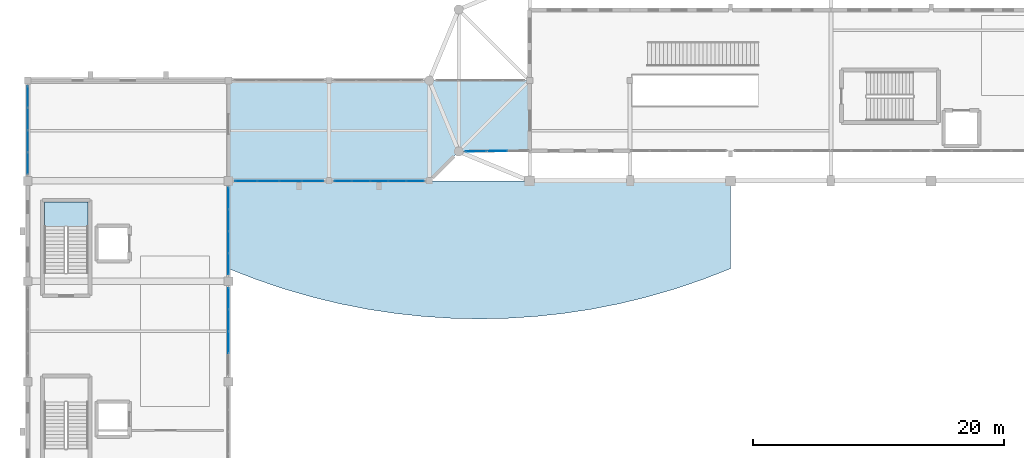
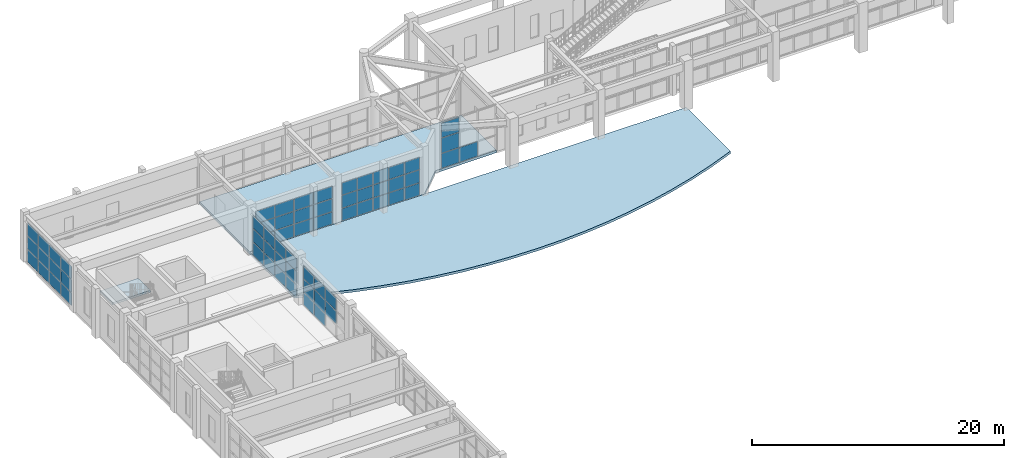
# One storey, part 29 of 59: 63 plates, 3 slabs, 7 elements without a shape of their own.
"""IFC4 building model written with IfcOpenShell, lengths in metres."""

from ifc_helpers import new_model, si_unit, direction, frame, origin, origin_2d, place, context, subcontext, project, spatial, polyline, rectangle, outline, extrude, material, layer, layer_set, type_object, element, aggregate, save


model = new_model("IFC4")

# Units and contexts
model_context = context("Model", 3, precision=1e-05, world=origin(), true_north=direction((0.0, 1.0)))
body_context = subcontext(model_context, "Body", "Model", "MODEL_VIEW")
ifc_project = project(units=[si_unit("LENGTHUNIT", "METRE"), si_unit("AREAUNIT", "SQUARE_METRE"), si_unit("VOLUMEUNIT", "CUBIC_METRE"), si_unit("PLANEANGLEUNIT", "RADIAN"), si_unit("MASSUNIT", "GRAM", prefix="KILO")], contexts=[model_context])

# Site, building, storey
site_placement = place(None, origin())
site = spatial("IfcSite", under=ifc_project, at=site_placement, CompositionType="ELEMENT")
building_placement = place(site_placement, origin())
building = spatial("IfcBuilding", under=site, at=building_placement, Name="Serraluz Foothill Cableway Terminal", CompositionType="ELEMENT")
storey_placement = place(building_placement, frame((0.0, 0.0, 4.800048828125)))
storey = spatial("IfcBuildingStorey", under=building, at=storey_placement, Name="L01", CompositionType="ELEMENT", Elevation=4.800048828125)

# Curtain wall, plates
ifc_material_1 = material(Name="Architectural bronze alloy C28000", Category="aluminium")
curtain_wall_type_1 = type_object("IfcCurtainWallType", Name="TYP-CW-480X380", PredefinedType="NOTDEFINED", material=ifc_material_1)
curtain_wall_1_placement = place(storey_placement, origin())
curtain_wall_1 = element("IfcCurtainWall", 1, at=curtain_wall_1_placement, inside=storey, type_object=curtain_wall_type_1, Name="Ribbed Glazed Curtain Wall CW-V5E-L01-40", PredefinedType="NOTDEFINED")
ifc_material_2 = material(Name="Translucent ribbed laminated channel glass", Category="glass")
ifc_layer_1 = layer(ifc_material_2, 0.028076171875, Name="Translucent ribbed laminated channel glass", Category="glass")
ifc_layer_set_1 = layer_set([ifc_layer_1], Name="Translucent ribbed laminated channel glass")
plate_type = type_object("IfcPlateType", Name="TYP-CW-PNL-28", PredefinedType="CURTAIN_PANEL", material=ifc_layer_set_1)
plate_1_placement = place(storey_placement, frame((16.0, 46.617431640625, 0.06005859375), z_axis=(0.0, 0.0, 1.0), x_axis=(0.0, -1.0, 0.0)))
plate_1 = element("IfcPlate", 2, at=plate_1_placement, type_object=plate_type, Name="CW-14 panel 1.1", PredefinedType="CURTAIN_PANEL", context=body_context, shape_type="SweptSolid", body=[
    extrude(rectangle(XDim=1.6650390625, YDim=0.028076171875, at=origin_2d()), origin(), (0.0, 0.0, 1.0), 1.218017578125),
])
plate_2_placement = place(storey_placement, frame((16.0, 46.617431640625, 1.337890625), z_axis=(0.0, 0.0, 1.0), x_axis=(0.0, -1.0, 0.0)))
plate_2 = element("IfcPlate", 3, at=plate_2_placement, type_object=plate_type, Name="CW-14 panel 1.2", PredefinedType="CURTAIN_PANEL", context=body_context, shape_type="SweptSolid", body=[
    extrude(rectangle(XDim=1.6650390625, YDim=0.028076171875, at=origin_2d()), origin(), (0.0, 0.0, 1.0), 1.248046875),
])
plate_3_placement = place(storey_placement, frame((16.0, 46.617431640625, 2.64599609375), z_axis=(0.0, 0.0, 1.0), x_axis=(0.0, -1.0, 0.0)))
plate_3 = element("IfcPlate", 4, at=plate_3_placement, type_object=plate_type, Name="CW-14 panel 1.3", PredefinedType="CURTAIN_PANEL", context=body_context, shape_type="SweptSolid", body=[
    extrude(rectangle(XDim=1.6650390625, YDim=0.028076171875, at=origin_2d()), origin(), (0.0, 0.0, 1.0), 1.218017578125),
])
plate_4_placement = place(storey_placement, frame((16.0, 44.87744140625, 0.06005859375), z_axis=(0.0, 0.0, 1.0), x_axis=(0.0, -1.0, 0.0)))
plate_4 = element("IfcPlate", 5, at=plate_4_placement, type_object=plate_type, Name="CW-14 panel 2.1", PredefinedType="CURTAIN_PANEL", context=body_context, shape_type="SweptSolid", body=[
    extrude(rectangle(XDim=1.695068359375, YDim=0.028076171875, at=origin_2d()), origin(), (0.0, 0.0, 1.0), 1.218017578125),
])
plate_5_placement = place(storey_placement, frame((16.0, 44.87744140625, 1.337890625), z_axis=(0.0, 0.0, 1.0), x_axis=(0.0, -1.0, 0.0)))
plate_5 = element("IfcPlate", 6, at=plate_5_placement, type_object=plate_type, Name="CW-14 panel 2.2", PredefinedType="CURTAIN_PANEL", context=body_context, shape_type="SweptSolid", body=[
    extrude(rectangle(XDim=1.695068359375, YDim=0.028076171875, at=origin_2d()), origin(), (0.0, 0.0, 1.0), 1.248046875),
])
plate_6_placement = place(storey_placement, frame((16.0, 44.87744140625, 2.64599609375), z_axis=(0.0, 0.0, 1.0), x_axis=(0.0, -1.0, 0.0)))
plate_6 = element("IfcPlate", 7, at=plate_6_placement, type_object=plate_type, Name="CW-14 panel 2.3", PredefinedType="CURTAIN_PANEL", context=body_context, shape_type="SweptSolid", body=[
    extrude(rectangle(XDim=1.695068359375, YDim=0.028076171875, at=origin_2d()), origin(), (0.0, 0.0, 1.0), 1.218017578125),
])
plate_7_placement = place(storey_placement, frame((16.0, 43.12255859375, 1.337890625), z_axis=(0.0, 0.0, 1.0), x_axis=(0.0, -1.0, 0.0)))
plate_7 = element("IfcPlate", 8, at=plate_7_placement, type_object=plate_type, Name="CW-14 panel 3.2", PredefinedType="CURTAIN_PANEL", context=body_context, shape_type="SweptSolid", body=[
    extrude(rectangle(XDim=1.695068359375, YDim=0.028076171875, at=origin_2d()), origin(), (0.0, 0.0, 1.0), 1.248046875),
])
plate_8_placement = place(storey_placement, frame((16.0, 43.12255859375, 2.64599609375), z_axis=(0.0, 0.0, 1.0), x_axis=(0.0, -1.0, 0.0)))
plate_8 = element("IfcPlate", 9, at=plate_8_placement, type_object=plate_type, Name="CW-14 panel 3.3", PredefinedType="CURTAIN_PANEL", context=body_context, shape_type="SweptSolid", body=[
    extrude(rectangle(XDim=1.695068359375, YDim=0.028076171875, at=origin_2d()), origin(), (0.0, 0.0, 1.0), 1.218017578125),
])
aggregate(curtain_wall_1, [plate_1, plate_2, plate_3, plate_4, plate_5, plate_6, plate_7, plate_8])

curtain_wall_type_2 = type_object("IfcCurtainWallType", Name="TYP-CW-480X420", PredefinedType="NOTDEFINED", material=ifc_material_1)
curtain_wall_2_placement = place(storey_placement, origin())
curtain_wall_2 = element("IfcCurtainWall", 10, at=curtain_wall_2_placement, inside=storey, type_object=curtain_wall_type_2, Name="Ribbed Glazed Curtain Wall CW-V5E-L01-48", PredefinedType="NOTDEFINED")
plate_9_placement = place(storey_placement, frame((16.0, 54.617431640625, 0.06005859375), z_axis=(0.0, 0.0, 1.0), x_axis=(0.0, -1.0, 0.0)))
plate_9 = element("IfcPlate", 11, at=plate_9_placement, type_object=plate_type, Name="CW-15 panel 1.1", PredefinedType="CURTAIN_PANEL", context=body_context, shape_type="SweptSolid", body=[
    extrude(rectangle(XDim=1.6650390625, YDim=0.028076171875, at=origin_2d()), origin(), (0.0, 0.0, 1.0), 1.218017578125),
])
plate_10_placement = place(storey_placement, frame((16.0, 54.617431640625, 1.337890625), z_axis=(0.0, 0.0, 1.0), x_axis=(0.0, -1.0, 0.0)))
plate_10 = element("IfcPlate", 12, at=plate_10_placement, type_object=plate_type, Name="CW-15 panel 1.2", PredefinedType="CURTAIN_PANEL", context=body_context, shape_type="SweptSolid", body=[
    extrude(rectangle(XDim=1.6650390625, YDim=0.028076171875, at=origin_2d()), origin(), (0.0, 0.0, 1.0), 1.248046875),
])
plate_11_placement = place(storey_placement, frame((16.0, 54.617431640625, 2.64599609375), z_axis=(0.0, 0.0, 1.0), x_axis=(0.0, -1.0, 0.0)))
plate_11 = element("IfcPlate", 13, at=plate_11_placement, type_object=plate_type, Name="CW-15 panel 1.3", PredefinedType="CURTAIN_PANEL", context=body_context, shape_type="SweptSolid", body=[
    extrude(rectangle(XDim=1.6650390625, YDim=0.028076171875, at=origin_2d()), origin(), (0.0, 0.0, 1.0), 1.218017578125),
])
plate_12_placement = place(storey_placement, frame((16.0, 52.87744140625, 0.06005859375), z_axis=(0.0, 0.0, 1.0), x_axis=(0.0, -1.0, 0.0)))
plate_12 = element("IfcPlate", 14, at=plate_12_placement, type_object=plate_type, Name="CW-15 panel 2.1", PredefinedType="CURTAIN_PANEL", context=body_context, shape_type="SweptSolid", body=[
    extrude(rectangle(XDim=1.695068359375, YDim=0.028076171875, at=origin_2d()), origin(), (0.0, 0.0, 1.0), 1.218017578125),
])
plate_13_placement = place(storey_placement, frame((16.0, 52.87744140625, 1.337890625), z_axis=(0.0, 0.0, 1.0), x_axis=(0.0, -1.0, 0.0)))
plate_13 = element("IfcPlate", 15, at=plate_13_placement, type_object=plate_type, Name="CW-15 panel 2.2", PredefinedType="CURTAIN_PANEL", context=body_context, shape_type="SweptSolid", body=[
    extrude(rectangle(XDim=1.695068359375, YDim=0.028076171875, at=origin_2d()), origin(), (0.0, 0.0, 1.0), 1.248046875),
])
plate_14_placement = place(storey_placement, frame((16.0, 52.87744140625, 2.64599609375), z_axis=(0.0, 0.0, 1.0), x_axis=(0.0, -1.0, 0.0)))
plate_14 = element("IfcPlate", 16, at=plate_14_placement, type_object=plate_type, Name="CW-15 panel 2.3", PredefinedType="CURTAIN_PANEL", context=body_context, shape_type="SweptSolid", body=[
    extrude(rectangle(XDim=1.695068359375, YDim=0.028076171875, at=origin_2d()), origin(), (0.0, 0.0, 1.0), 1.218017578125),
])
plate_15_placement = place(storey_placement, frame((16.0, 51.12255859375, 0.06005859375), z_axis=(0.0, 0.0, 1.0), x_axis=(0.0, -1.0, 0.0)))
plate_15 = element("IfcPlate", 17, at=plate_15_placement, type_object=plate_type, Name="CW-15 panel 3.1", PredefinedType="CURTAIN_PANEL", context=body_context, shape_type="SweptSolid", body=[
    extrude(rectangle(XDim=1.695068359375, YDim=0.028076171875, at=origin_2d()), origin(), (0.0, 0.0, 1.0), 1.218017578125),
])
plate_16_placement = place(storey_placement, frame((16.0, 51.12255859375, 1.337890625), z_axis=(0.0, 0.0, 1.0), x_axis=(0.0, -1.0, 0.0)))
plate_16 = element("IfcPlate", 18, at=plate_16_placement, type_object=plate_type, Name="CW-15 panel 3.2", PredefinedType="CURTAIN_PANEL", context=body_context, shape_type="SweptSolid", body=[
    extrude(rectangle(XDim=1.695068359375, YDim=0.028076171875, at=origin_2d()), origin(), (0.0, 0.0, 1.0), 1.248046875),
])
plate_17_placement = place(storey_placement, frame((16.0, 51.12255859375, 2.64599609375), z_axis=(0.0, 0.0, 1.0), x_axis=(0.0, -1.0, 0.0)))
plate_17 = element("IfcPlate", 19, at=plate_17_placement, type_object=plate_type, Name="CW-15 panel 3.3", PredefinedType="CURTAIN_PANEL", context=body_context, shape_type="SweptSolid", body=[
    extrude(rectangle(XDim=1.695068359375, YDim=0.028076171875, at=origin_2d()), origin(), (0.0, 0.0, 1.0), 1.218017578125),
])
plate_18_placement = place(storey_placement, frame((16.0, 49.382568359375, 0.06005859375), z_axis=(0.0, 0.0, 1.0), x_axis=(0.0, -1.0, 0.0)))
plate_18 = element("IfcPlate", 20, at=plate_18_placement, type_object=plate_type, Name="CW-15 panel 4.1", PredefinedType="CURTAIN_PANEL", context=body_context, shape_type="SweptSolid", body=[
    extrude(rectangle(XDim=1.6650390625, YDim=0.028076171875, at=origin_2d()), origin(), (0.0, 0.0, 1.0), 1.218017578125),
])
plate_19_placement = place(storey_placement, frame((16.0, 49.382568359375, 1.337890625), z_axis=(0.0, 0.0, 1.0), x_axis=(0.0, -1.0, 0.0)))
plate_19 = element("IfcPlate", 21, at=plate_19_placement, type_object=plate_type, Name="CW-15 panel 4.2", PredefinedType="CURTAIN_PANEL", context=body_context, shape_type="SweptSolid", body=[
    extrude(rectangle(XDim=1.6650390625, YDim=0.028076171875, at=origin_2d()), origin(), (0.0, 0.0, 1.0), 1.248046875),
])
plate_20_placement = place(storey_placement, frame((16.0, 49.382568359375, 2.64599609375), z_axis=(0.0, 0.0, 1.0), x_axis=(0.0, -1.0, 0.0)))
plate_20 = element("IfcPlate", 22, at=plate_20_placement, type_object=plate_type, Name="CW-15 panel 4.3", PredefinedType="CURTAIN_PANEL", context=body_context, shape_type="SweptSolid", body=[
    extrude(rectangle(XDim=1.6650390625, YDim=0.028076171875, at=origin_2d()), origin(), (0.0, 0.0, 1.0), 1.218017578125),
])
aggregate(curtain_wall_2, [plate_9, plate_10, plate_11, plate_12, plate_13, plate_14, plate_15, plate_16, plate_17, plate_18, plate_19, plate_20])

curtain_wall_type_3 = type_object("IfcCurtainWallType", Name="TYP-CW-540X420", PredefinedType="NOTDEFINED", material=ifc_material_1)
curtain_wall_3_placement = place(storey_placement, origin())
curtain_wall_3 = element("IfcCurtainWall", 23, at=curtain_wall_3_placement, inside=storey, type_object=curtain_wall_type_3, Name="Ribbed Glazed Curtain Wall CW-V5W-L01-56", PredefinedType="NOTDEFINED")
plate_21_placement = place(storey_placement, frame((0.0, 57.391845703125, 0.06005859375), z_axis=(0.0, 0.0, 1.0), x_axis=(0.0, 1.0, 0.0)))
plate_21 = element("IfcPlate", 24, at=plate_21_placement, type_object=plate_type, Name="CW-10 panel 1.1", PredefinedType="CURTAIN_PANEL", context=body_context, shape_type="SweptSolid", body=[
    extrude(rectangle(XDim=1.683837890625, YDim=0.028076171875, at=origin_2d()), origin(), (0.0, 0.0, 1.0), 1.218017578125),
])
plate_22_placement = place(storey_placement, frame((0.0, 57.391845703125, 1.337890625), z_axis=(0.0, 0.0, 1.0), x_axis=(0.0, 1.0, 0.0)))
plate_22 = element("IfcPlate", 25, at=plate_22_placement, type_object=plate_type, Name="CW-10 panel 1.2", PredefinedType="CURTAIN_PANEL", context=body_context, shape_type="SweptSolid", body=[
    extrude(rectangle(XDim=1.683837890625, YDim=0.028076171875, at=origin_2d()), origin(), (0.0, 0.0, 1.0), 1.248046875),
])
plate_23_placement = place(storey_placement, frame((0.0, 57.391845703125, 2.64599609375), z_axis=(0.0, 0.0, 1.0), x_axis=(0.0, 1.0, 0.0)))
plate_23 = element("IfcPlate", 26, at=plate_23_placement, type_object=plate_type, Name="CW-10 panel 1.3", PredefinedType="CURTAIN_PANEL", context=body_context, shape_type="SweptSolid", body=[
    extrude(rectangle(XDim=1.683837890625, YDim=0.028076171875, at=origin_2d()), origin(), (0.0, 0.0, 1.0), 1.218017578125),
])
plate_24_placement = place(storey_placement, frame((0.0, 59.150634765625, 0.06005859375), z_axis=(0.0, 0.0, 1.0), x_axis=(0.0, 1.0, 0.0)))
plate_24 = element("IfcPlate", 27, at=plate_24_placement, type_object=plate_type, Name="CW-10 panel 2.1", PredefinedType="CURTAIN_PANEL", context=body_context, shape_type="SweptSolid", body=[
    extrude(rectangle(XDim=1.7138671875, YDim=0.028076171875, at=origin_2d()), origin(), (0.0, 0.0, 1.0), 1.218017578125),
])
plate_25_placement = place(storey_placement, frame((0.0, 59.150634765625, 1.337890625), z_axis=(0.0, 0.0, 1.0), x_axis=(0.0, 1.0, 0.0)))
plate_25 = element("IfcPlate", 28, at=plate_25_placement, type_object=plate_type, Name="CW-10 panel 2.2", PredefinedType="CURTAIN_PANEL", context=body_context, shape_type="SweptSolid", body=[
    extrude(rectangle(XDim=1.7138671875, YDim=0.028076171875, at=origin_2d()), origin(), (0.0, 0.0, 1.0), 1.248046875),
])
plate_26_placement = place(storey_placement, frame((0.0, 59.150634765625, 2.64599609375), z_axis=(0.0, 0.0, 1.0), x_axis=(0.0, 1.0, 0.0)))
plate_26 = element("IfcPlate", 29, at=plate_26_placement, type_object=plate_type, Name="CW-10 panel 2.3", PredefinedType="CURTAIN_PANEL", context=body_context, shape_type="SweptSolid", body=[
    extrude(rectangle(XDim=1.7138671875, YDim=0.028076171875, at=origin_2d()), origin(), (0.0, 0.0, 1.0), 1.218017578125),
])
plate_27_placement = place(storey_placement, frame((0.0, 60.92431640625, 0.06005859375), z_axis=(0.0, 0.0, 1.0), x_axis=(0.0, 1.0, 0.0)))
plate_27 = element("IfcPlate", 30, at=plate_27_placement, type_object=plate_type, Name="CW-10 panel 3.1", PredefinedType="CURTAIN_PANEL", context=body_context, shape_type="SweptSolid", body=[
    extrude(rectangle(XDim=1.7138671875, YDim=0.028076171875, at=origin_2d()), origin(), (0.0, 0.0, 1.0), 1.218017578125),
])
plate_28_placement = place(storey_placement, frame((0.0, 60.92431640625, 1.337890625), z_axis=(0.0, 0.0, 1.0), x_axis=(0.0, 1.0, 0.0)))
plate_28 = element("IfcPlate", 31, at=plate_28_placement, type_object=plate_type, Name="CW-10 panel 3.2", PredefinedType="CURTAIN_PANEL", context=body_context, shape_type="SweptSolid", body=[
    extrude(rectangle(XDim=1.7138671875, YDim=0.028076171875, at=origin_2d()), origin(), (0.0, 0.0, 1.0), 1.248046875),
])
plate_29_placement = place(storey_placement, frame((0.0, 60.92431640625, 2.64599609375), z_axis=(0.0, 0.0, 1.0), x_axis=(0.0, 1.0, 0.0)))
plate_29 = element("IfcPlate", 32, at=plate_29_placement, type_object=plate_type, Name="CW-10 panel 3.3", PredefinedType="CURTAIN_PANEL", context=body_context, shape_type="SweptSolid", body=[
    extrude(rectangle(XDim=1.7138671875, YDim=0.028076171875, at=origin_2d()), origin(), (0.0, 0.0, 1.0), 1.218017578125),
])
plate_30_placement = place(storey_placement, frame((0.0, 62.68310546875, 0.06005859375), z_axis=(0.0, 0.0, 1.0), x_axis=(0.0, 1.0, 0.0)))
plate_30 = element("IfcPlate", 33, at=plate_30_placement, type_object=plate_type, Name="CW-10 panel 4.1", PredefinedType="CURTAIN_PANEL", context=body_context, shape_type="SweptSolid", body=[
    extrude(rectangle(XDim=1.683837890625, YDim=0.028076171875, at=origin_2d()), origin(), (0.0, 0.0, 1.0), 1.218017578125),
])
plate_31_placement = place(storey_placement, frame((0.0, 62.68310546875, 1.337890625), z_axis=(0.0, 0.0, 1.0), x_axis=(0.0, 1.0, 0.0)))
plate_31 = element("IfcPlate", 34, at=plate_31_placement, type_object=plate_type, Name="CW-10 panel 4.2", PredefinedType="CURTAIN_PANEL", context=body_context, shape_type="SweptSolid", body=[
    extrude(rectangle(XDim=1.683837890625, YDim=0.028076171875, at=origin_2d()), origin(), (0.0, 0.0, 1.0), 1.248046875),
])
plate_32_placement = place(storey_placement, frame((0.0, 62.68310546875, 2.64599609375), z_axis=(0.0, 0.0, 1.0), x_axis=(0.0, 1.0, 0.0)))
plate_32 = element("IfcPlate", 35, at=plate_32_placement, type_object=plate_type, Name="CW-10 panel 4.3", PredefinedType="CURTAIN_PANEL", context=body_context, shape_type="SweptSolid", body=[
    extrude(rectangle(XDim=1.683837890625, YDim=0.028076171875, at=origin_2d()), origin(), (0.0, 0.0, 1.0), 1.218017578125),
])
aggregate(curtain_wall_3, [plate_21, plate_22, plate_23, plate_24, plate_25, plate_26, plate_27, plate_28, plate_29, plate_30, plate_31, plate_32])

curtain_wall_type_4 = type_object("IfcCurtainWallType", Name="TYP-CW-710X420", PredefinedType="NOTDEFINED", material=ifc_material_1)
curtain_wall_4_placement = place(storey_placement, origin())
curtain_wall_4 = element("IfcCurtainWall", 36, at=curtain_wall_4_placement, inside=storey, type_object=curtain_wall_type_4, Name="Ribbed Glazed Curtain Wall CW-WLS-L01-16", PredefinedType="NOTDEFINED")
plate_33_placement = place(storey_placement, frame((22.705078125, 56.0, 0.059814453125), z_axis=(0.0, 0.0, 1.0), x_axis=(-1.0, 0.0, 0.0)))
plate_33 = element("IfcPlate", 37, at=plate_33_placement, type_object=plate_type, Name="CW-01 panel 1.1", PredefinedType="CURTAIN_PANEL", context=body_context, shape_type="SweptSolid", body=[
    extrude(rectangle(XDim=1.68994140625, YDim=0.028076171875, at=origin_2d()), origin(), (0.0, 0.0, 1.0), 1.1767578125),
])
plate_34_placement = place(storey_placement, frame((22.705078125, 56.0, 1.296630859375), z_axis=(0.0, 0.0, 1.0), x_axis=(-1.0, 0.0, 0.0)))
plate_34 = element("IfcPlate", 38, at=plate_34_placement, type_object=plate_type, Name="CW-01 panel 1.2", PredefinedType="CURTAIN_PANEL", context=body_context, shape_type="SweptSolid", body=[
    extrude(rectangle(XDim=1.68994140625, YDim=0.028076171875, at=origin_2d()), origin(), (0.0, 0.0, 1.0), 1.20654296875),
])
plate_35_placement = place(storey_placement, frame((22.705078125, 56.0, 2.563232421875), z_axis=(0.0, 0.0, 1.0), x_axis=(-1.0, 0.0, 0.0)))
plate_35 = element("IfcPlate", 39, at=plate_35_placement, type_object=plate_type, Name="CW-01 panel 1.3", PredefinedType="CURTAIN_PANEL", context=body_context, shape_type="SweptSolid", body=[
    extrude(rectangle(XDim=1.68994140625, YDim=0.028076171875, at=origin_2d()), origin(), (0.0, 0.0, 1.0), 1.1767578125),
])
plate_36_placement = place(storey_placement, frame((20.93994140625, 56.0, 0.059814453125), z_axis=(0.0, 0.0, 1.0), x_axis=(-1.0, 0.0, 0.0)))
plate_36 = element("IfcPlate", 40, at=plate_36_placement, type_object=plate_type, Name="CW-01 panel 2.1", PredefinedType="CURTAIN_PANEL", context=body_context, shape_type="SweptSolid", body=[
    extrude(rectangle(XDim=1.719970703125, YDim=0.028076171875, at=origin_2d()), origin(), (0.0, 0.0, 1.0), 1.1767578125),
])
plate_37_placement = place(storey_placement, frame((20.93994140625, 56.0, 1.296630859375), z_axis=(0.0, 0.0, 1.0), x_axis=(-1.0, 0.0, 0.0)))
plate_37 = element("IfcPlate", 41, at=plate_37_placement, type_object=plate_type, Name="CW-01 panel 2.2", PredefinedType="CURTAIN_PANEL", context=body_context, shape_type="SweptSolid", body=[
    extrude(rectangle(XDim=1.719970703125, YDim=0.028076171875, at=origin_2d()), origin(), (0.0, 0.0, 1.0), 1.20654296875),
])
plate_38_placement = place(storey_placement, frame((20.93994140625, 56.0, 2.563232421875), z_axis=(0.0, 0.0, 1.0), x_axis=(-1.0, 0.0, 0.0)))
plate_38 = element("IfcPlate", 42, at=plate_38_placement, type_object=plate_type, Name="CW-01 panel 2.3", PredefinedType="CURTAIN_PANEL", context=body_context, shape_type="SweptSolid", body=[
    extrude(rectangle(XDim=1.719970703125, YDim=0.028076171875, at=origin_2d()), origin(), (0.0, 0.0, 1.0), 1.1767578125),
])
plate_39_placement = place(storey_placement, frame((19.159912109375, 56.0, 0.059814453125), z_axis=(0.0, 0.0, 1.0), x_axis=(-1.0, 0.0, 0.0)))
plate_39 = element("IfcPlate", 43, at=plate_39_placement, type_object=plate_type, Name="CW-01 panel 3.1", PredefinedType="CURTAIN_PANEL", context=body_context, shape_type="SweptSolid", body=[
    extrude(rectangle(XDim=1.719970703125, YDim=0.028076171875, at=origin_2d()), origin(), (0.0, 0.0, 1.0), 1.1767578125),
])
plate_40_placement = place(storey_placement, frame((19.159912109375, 56.0, 1.296630859375), z_axis=(0.0, 0.0, 1.0), x_axis=(-1.0, 0.0, 0.0)))
plate_40 = element("IfcPlate", 44, at=plate_40_placement, type_object=plate_type, Name="CW-01 panel 3.2", PredefinedType="CURTAIN_PANEL", context=body_context, shape_type="SweptSolid", body=[
    extrude(rectangle(XDim=1.719970703125, YDim=0.028076171875, at=origin_2d()), origin(), (0.0, 0.0, 1.0), 1.20654296875),
])
plate_41_placement = place(storey_placement, frame((19.159912109375, 56.0, 2.563232421875), z_axis=(0.0, 0.0, 1.0), x_axis=(-1.0, 0.0, 0.0)))
plate_41 = element("IfcPlate", 45, at=plate_41_placement, type_object=plate_type, Name="CW-01 panel 3.3", PredefinedType="CURTAIN_PANEL", context=body_context, shape_type="SweptSolid", body=[
    extrude(rectangle(XDim=1.719970703125, YDim=0.028076171875, at=origin_2d()), origin(), (0.0, 0.0, 1.0), 1.1767578125),
])
plate_42_placement = place(storey_placement, frame((17.39501953125, 56.0, 0.059814453125), z_axis=(0.0, 0.0, 1.0), x_axis=(-1.0, 0.0, 0.0)))
plate_42 = element("IfcPlate", 46, at=plate_42_placement, type_object=plate_type, Name="CW-01 panel 4.1", PredefinedType="CURTAIN_PANEL", context=body_context, shape_type="SweptSolid", body=[
    extrude(rectangle(XDim=1.68994140625, YDim=0.028076171875, at=origin_2d()), origin(), (0.0, 0.0, 1.0), 1.1767578125),
])
plate_43_placement = place(storey_placement, frame((17.39501953125, 56.0, 1.296630859375), z_axis=(0.0, 0.0, 1.0), x_axis=(-1.0, 0.0, 0.0)))
plate_43 = element("IfcPlate", 47, at=plate_43_placement, type_object=plate_type, Name="CW-01 panel 4.2", PredefinedType="CURTAIN_PANEL", context=body_context, shape_type="SweptSolid", body=[
    extrude(rectangle(XDim=1.68994140625, YDim=0.028076171875, at=origin_2d()), origin(), (0.0, 0.0, 1.0), 1.20654296875),
])
plate_44_placement = place(storey_placement, frame((17.39501953125, 56.0, 2.563232421875), z_axis=(0.0, 0.0, 1.0), x_axis=(-1.0, 0.0, 0.0)))
plate_44 = element("IfcPlate", 48, at=plate_44_placement, type_object=plate_type, Name="CW-01 panel 4.3", PredefinedType="CURTAIN_PANEL", context=body_context, shape_type="SweptSolid", body=[
    extrude(rectangle(XDim=1.68994140625, YDim=0.028076171875, at=origin_2d()), origin(), (0.0, 0.0, 1.0), 1.1767578125),
])
aggregate(curtain_wall_4, [plate_33, plate_34, plate_35, plate_36, plate_37, plate_38, plate_39, plate_40, plate_41, plate_42, plate_43, plate_44])

curtain_wall_5_placement = place(storey_placement, origin())
curtain_wall_5 = element("IfcCurtainWall", 49, at=curtain_wall_5_placement, inside=storey, type_object=curtain_wall_type_4, Name="Ribbed Glazed Curtain Wall CW-WLS-L01-24", PredefinedType="NOTDEFINED")
plate_45_placement = place(storey_placement, frame((30.873046875, 56.0, 0.059814453125), z_axis=(0.0, 0.0, 1.0), x_axis=(-1.0, 0.0, 0.0)))
plate_45 = element("IfcPlate", 50, at=plate_45_placement, type_object=plate_type, Name="CW-01 panel 1.1", PredefinedType="CURTAIN_PANEL", context=body_context, shape_type="SweptSolid", body=[
    extrude(rectangle(XDim=1.35400390625, YDim=0.028076171875, at=origin_2d()), origin(), (0.0, 0.0, 1.0), 1.1767578125),
])
plate_46_placement = place(storey_placement, frame((30.873046875, 56.0, 1.296630859375), z_axis=(0.0, 0.0, 1.0), x_axis=(-1.0, 0.0, 0.0)))
plate_46 = element("IfcPlate", 51, at=plate_46_placement, type_object=plate_type, Name="CW-01 panel 1.2", PredefinedType="CURTAIN_PANEL", context=body_context, shape_type="SweptSolid", body=[
    extrude(rectangle(XDim=1.35400390625, YDim=0.028076171875, at=origin_2d()), origin(), (0.0, 0.0, 1.0), 1.20654296875),
])
plate_47_placement = place(storey_placement, frame((30.873046875, 56.0, 2.563232421875), z_axis=(0.0, 0.0, 1.0), x_axis=(-1.0, 0.0, 0.0)))
plate_47 = element("IfcPlate", 52, at=plate_47_placement, type_object=plate_type, Name="CW-01 panel 1.3", PredefinedType="CURTAIN_PANEL", context=body_context, shape_type="SweptSolid", body=[
    extrude(rectangle(XDim=1.35400390625, YDim=0.028076171875, at=origin_2d()), origin(), (0.0, 0.0, 1.0), 1.1767578125),
])
plate_48_placement = place(storey_placement, frame((29.444091796875, 56.0, 0.059814453125), z_axis=(0.0, 0.0, 1.0), x_axis=(-1.0, 0.0, 0.0)))
plate_48 = element("IfcPlate", 53, at=plate_48_placement, type_object=plate_type, Name="CW-01 panel 2.1", PredefinedType="CURTAIN_PANEL", context=body_context, shape_type="SweptSolid", body=[
    extrude(rectangle(XDim=1.384033203125, YDim=0.028076171875, at=origin_2d()), origin(), (0.0, 0.0, 1.0), 1.1767578125),
])
plate_49_placement = place(storey_placement, frame((29.444091796875, 56.0, 1.296630859375), z_axis=(0.0, 0.0, 1.0), x_axis=(-1.0, 0.0, 0.0)))
plate_49 = element("IfcPlate", 54, at=plate_49_placement, type_object=plate_type, Name="CW-01 panel 2.2", PredefinedType="CURTAIN_PANEL", context=body_context, shape_type="SweptSolid", body=[
    extrude(rectangle(XDim=1.384033203125, YDim=0.028076171875, at=origin_2d()), origin(), (0.0, 0.0, 1.0), 1.20654296875),
])
plate_50_placement = place(storey_placement, frame((29.444091796875, 56.0, 2.563232421875), z_axis=(0.0, 0.0, 1.0), x_axis=(-1.0, 0.0, 0.0)))
plate_50 = element("IfcPlate", 55, at=plate_50_placement, type_object=plate_type, Name="CW-01 panel 2.3", PredefinedType="CURTAIN_PANEL", context=body_context, shape_type="SweptSolid", body=[
    extrude(rectangle(XDim=1.384033203125, YDim=0.028076171875, at=origin_2d()), origin(), (0.0, 0.0, 1.0), 1.1767578125),
])
plate_51_placement = place(storey_placement, frame((28.0, 56.0, 0.059814453125), z_axis=(0.0, 0.0, 1.0), x_axis=(-1.0, 0.0, 0.0)))
plate_51 = element("IfcPlate", 56, at=plate_51_placement, type_object=plate_type, Name="CW-01 panel 3.1", PredefinedType="CURTAIN_PANEL", context=body_context, shape_type="SweptSolid", body=[
    extrude(rectangle(XDim=1.384033203125, YDim=0.028076171875, at=origin_2d()), origin(), (0.0, 0.0, 1.0), 1.1767578125),
])
plate_52_placement = place(storey_placement, frame((28.0, 56.0, 1.296630859375), z_axis=(0.0, 0.0, 1.0), x_axis=(-1.0, 0.0, 0.0)))
plate_52 = element("IfcPlate", 57, at=plate_52_placement, type_object=plate_type, Name="CW-01 panel 3.2", PredefinedType="CURTAIN_PANEL", context=body_context, shape_type="SweptSolid", body=[
    extrude(rectangle(XDim=1.384033203125, YDim=0.028076171875, at=origin_2d()), origin(), (0.0, 0.0, 1.0), 1.20654296875),
])
plate_53_placement = place(storey_placement, frame((28.0, 56.0, 2.563232421875), z_axis=(0.0, 0.0, 1.0), x_axis=(-1.0, 0.0, 0.0)))
plate_53 = element("IfcPlate", 58, at=plate_53_placement, type_object=plate_type, Name="CW-01 panel 3.3", PredefinedType="CURTAIN_PANEL", context=body_context, shape_type="SweptSolid", body=[
    extrude(rectangle(XDim=1.384033203125, YDim=0.028076171875, at=origin_2d()), origin(), (0.0, 0.0, 1.0), 1.1767578125),
])
plate_54_placement = place(storey_placement, frame((26.555908203125, 56.0, 0.059814453125), z_axis=(0.0, 0.0, 1.0), x_axis=(-1.0, 0.0, 0.0)))
plate_54 = element("IfcPlate", 59, at=plate_54_placement, type_object=plate_type, Name="CW-01 panel 4.1", PredefinedType="CURTAIN_PANEL", context=body_context, shape_type="SweptSolid", body=[
    extrude(rectangle(XDim=1.384033203125, YDim=0.028076171875, at=origin_2d()), origin(), (0.0, 0.0, 1.0), 1.1767578125),
])
plate_55_placement = place(storey_placement, frame((26.555908203125, 56.0, 1.296630859375), z_axis=(0.0, 0.0, 1.0), x_axis=(-1.0, 0.0, 0.0)))
plate_55 = element("IfcPlate", 60, at=plate_55_placement, type_object=plate_type, Name="CW-01 panel 4.2", PredefinedType="CURTAIN_PANEL", context=body_context, shape_type="SweptSolid", body=[
    extrude(rectangle(XDim=1.384033203125, YDim=0.028076171875, at=origin_2d()), origin(), (0.0, 0.0, 1.0), 1.20654296875),
])
plate_56_placement = place(storey_placement, frame((26.555908203125, 56.0, 2.563232421875), z_axis=(0.0, 0.0, 1.0), x_axis=(-1.0, 0.0, 0.0)))
plate_56 = element("IfcPlate", 61, at=plate_56_placement, type_object=plate_type, Name="CW-01 panel 4.3", PredefinedType="CURTAIN_PANEL", context=body_context, shape_type="SweptSolid", body=[
    extrude(rectangle(XDim=1.384033203125, YDim=0.028076171875, at=origin_2d()), origin(), (0.0, 0.0, 1.0), 1.1767578125),
])
plate_57_placement = place(storey_placement, frame((25.126953125, 56.0, 0.059814453125), z_axis=(0.0, 0.0, 1.0), x_axis=(-1.0, 0.0, 0.0)))
plate_57 = element("IfcPlate", 62, at=plate_57_placement, type_object=plate_type, Name="CW-01 panel 5.1", PredefinedType="CURTAIN_PANEL", context=body_context, shape_type="SweptSolid", body=[
    extrude(rectangle(XDim=1.35400390625, YDim=0.028076171875, at=origin_2d()), origin(), (0.0, 0.0, 1.0), 1.1767578125),
])
plate_58_placement = place(storey_placement, frame((25.126953125, 56.0, 1.296630859375), z_axis=(0.0, 0.0, 1.0), x_axis=(-1.0, 0.0, 0.0)))
plate_58 = element("IfcPlate", 63, at=plate_58_placement, type_object=plate_type, Name="CW-01 panel 5.2", PredefinedType="CURTAIN_PANEL", context=body_context, shape_type="SweptSolid", body=[
    extrude(rectangle(XDim=1.35400390625, YDim=0.028076171875, at=origin_2d()), origin(), (0.0, 0.0, 1.0), 1.20654296875),
])
plate_59_placement = place(storey_placement, frame((25.126953125, 56.0, 2.563232421875), z_axis=(0.0, 0.0, 1.0), x_axis=(-1.0, 0.0, 0.0)))
plate_59 = element("IfcPlate", 64, at=plate_59_placement, type_object=plate_type, Name="CW-01 panel 5.3", PredefinedType="CURTAIN_PANEL", context=body_context, shape_type="SweptSolid", body=[
    extrude(rectangle(XDim=1.35400390625, YDim=0.028076171875, at=origin_2d()), origin(), (0.0, 0.0, 1.0), 1.1767578125),
])
aggregate(curtain_wall_5, [plate_45, plate_46, plate_47, plate_48, plate_49, plate_50, plate_51, plate_52, plate_53, plate_54, plate_55, plate_56, plate_57, plate_58, plate_59])

curtain_wall_6_placement = place(storey_placement, origin())
curtain_wall_6 = element("IfcCurtainWall", 65, at=curtain_wall_6_placement, inside=storey, type_object=curtain_wall_type_3, Name="Ribbed Glazed Curtain Wall CW-WLS-L01-32", PredefinedType="NOTDEFINED")
plate_60_placement = place(storey_placement, frame((37.405029296875, 58.373779296875, 0.06005859375), z_axis=(0.0, 0.0, 1.0), x_axis=(-0.999949335107, -0.010066142226, 0.0)))
plate_60 = element("IfcPlate", 66, at=plate_60_placement, type_object=plate_type, Name="CW-10 panel 2.1", PredefinedType="CURTAIN_PANEL", context=body_context, shape_type="SweptSolid", body=[
    extrude(rectangle(XDim=1.635498046875, YDim=0.028076171875, at=origin_2d()), origin(), (0.0, 0.0, 1.0), 1.401611328125),
])
plate_61_placement = place(storey_placement, frame((35.724609375, 58.35693359375, 0.06005859375), z_axis=(0.0, 0.0, 1.0), x_axis=(-0.999949335107, -0.010066142226, 0.0)))
plate_61 = element("IfcPlate", 67, at=plate_61_placement, type_object=plate_type, Name="CW-10 panel 3.1", PredefinedType="CURTAIN_PANEL", context=body_context, shape_type="SweptSolid", body=[
    extrude(rectangle(XDim=1.60546875, YDim=0.028076171875, at=origin_2d()), origin(), (0.0, 0.0, 1.0), 1.401611328125),
])
plate_62_placement = place(storey_placement, frame((35.724609375, 58.35693359375, 1.521728515625), z_axis=(0.0, 0.0, 1.0), x_axis=(-0.999949335107, -0.010066142226, 0.0)))
plate_62 = element("IfcPlate", 68, at=plate_62_placement, type_object=plate_type, Name="CW-10 panel 3.2", PredefinedType="CURTAIN_PANEL", context=body_context, shape_type="SweptSolid", body=[
    extrude(rectangle(XDim=1.60546875, YDim=0.028076171875, at=origin_2d()), origin(), (0.0, 0.0, 1.0), 1.431640625),
])
plate_63_placement = place(storey_placement, frame((35.724609375, 58.35693359375, 3.01318359375), z_axis=(0.0, 0.0, 1.0), x_axis=(-0.999949335107, -0.010066142226, 0.0)))
plate_63 = element("IfcPlate", 69, at=plate_63_placement, type_object=plate_type, Name="CW-10 panel 3.3", PredefinedType="CURTAIN_PANEL", context=body_context, shape_type="SweptSolid", body=[
    extrude(rectangle(XDim=1.60546875, YDim=0.028076171875, at=origin_2d()), origin(), (0.0, 0.0, 1.0), 1.401611328125),
])
aggregate(curtain_wall_6, [plate_60, plate_61, plate_62, plate_63])

# Slab
ifc_material_3 = material(Name="Concrete C28/35 (f'c 28 MPa)", Category="concrete")
ifc_layer_2 = layer(ifc_material_3, 0.239990234375, Name="Concrete C28/35 (f'c 28 MPa)", Category="concrete")
ifc_layer_set_2 = layer_set([ifc_layer_2], Name="Concrete C28/35 (f'c 28 MPa)")
slab_type_1 = type_object("IfcSlabType", Name="TYP-SLB-FLR-240", PredefinedType="FLOOR", material=ifc_layer_set_2)
slab_1_placement = place(storey_placement, frame((0.0, 0.0, -0.239990234375)))
element("IfcSlab", 70, at=slab_1_placement, inside=storey, type_object=slab_type_1, Name="Structural Slab SLB-L01-V5B", PredefinedType="FLOOR", context=body_context, shape_type="SweptSolid", body=[
    extrude(outline(polyline([(16.0, 56.0), (32.0, 56.0), (34.343017578125, 58.343017578125), (40.0, 58.39990234375), (40.0, 64.0), (16.0, 64.0), (16.0, 56.0)])), origin(), (0.0, 0.0, 1.0), 0.239990234375),
])

# Stair, slab
ifc_material_4 = material(Name="Concrete C35/45 (f'c 35 MPa)", Category="concrete")
stair_type = type_object("IfcStairType", Name="TYP-ST-DOG-166-48", PredefinedType="HALF_TURN_STAIR", material=ifc_material_4)
stair_placement = place(storey_placement, origin())
stair = element("IfcStair", 71, at=stair_placement, inside=storey, type_object=stair_type, Name="L01 ST-01", PredefinedType="HALF_TURN_STAIR")
ifc_layer_3 = layer(ifc_material_3, 0.199951171875, Name="Concrete C28/35 (f'c 28 MPa)", Category="concrete")
ifc_layer_set_3 = layer_set([ifc_layer_3], Name="Concrete C28/35 (f'c 28 MPa)")
slab_type_2 = type_object("IfcSlabType", Name="TYP-SLB-LND-200", PredefinedType="LANDING", material=ifc_layer_set_3)
slab_2_placement = place(storey_placement, frame((0.0, 0.0, 2.199951171875)))
slab_2 = element("IfcSlab", 72, at=slab_2_placement, type_object=slab_type_2, Name="ST-01 landing 1", PredefinedType="LANDING", context=body_context, shape_type="SweptSolid", body=[
    extrude(outline(polyline([(4.800048828125, 52.364990234375), (4.800048828125, 54.31005859375), (1.320068359375, 54.31005859375), (1.320068359375, 52.364990234375), (4.800048828125, 52.364990234375)])), origin(), (0.0, 0.0, 1.0), 0.199951171875),
])
aggregate(stair, [slab_2])

# Slab
ifc_layer_4 = layer(ifc_material_3, 0.239990234375, Name="Concrete C28/35 (f'c 28 MPa)", Category="concrete")
ifc_layer_set_4 = layer_set([ifc_layer_4], Name="Concrete C28/35 (f'c 28 MPa)")
slab_type_3 = type_object("IfcSlabType", Name="TYP-SLB-ROOF-240", PredefinedType="ROOF", material=ifc_layer_set_4)
slab_3_placement = place(storey_placement, frame((0.0, 0.0, -0.239990234375)))
element("IfcSlab", 73, at=slab_3_placement, inside=storey, type_object=slab_type_3, Name="Structural Roof Deck CANOPY-L01-PLAZA", PredefinedType="ROOF", context=body_context, shape_type="SweptSolid", body=[
    extrude(outline(polyline([(16.0, 49.0), (18.22216796875, 48.13330078125), (20.4443359375, 47.381103515625), (22.666748046875, 46.738525390625), (24.888916015625, 46.200927734375), (27.111083984375, 45.765380859375), (29.333251953125, 45.42919921875), (31.5556640625, 45.190185546875), (33.77783203125, 45.047607421875), (36.0, 45.0), (38.22216796875, 45.047607421875), (40.4443359375, 45.190185546875), (42.666748046875, 45.42919921875), (44.888916015625, 45.765380859375), (47.111083984375, 46.200927734375), (49.333251953125, 46.738525390625), (51.5556640625, 47.381103515625), (53.77783203125, 48.13330078125), (56.0, 49.0), (56.0, 56.0), (16.0, 56.0), (16.0, 49.0)])), origin(), (0.0, 0.0, 1.0), 0.239990234375),
])

save(model, "model.ifc")
